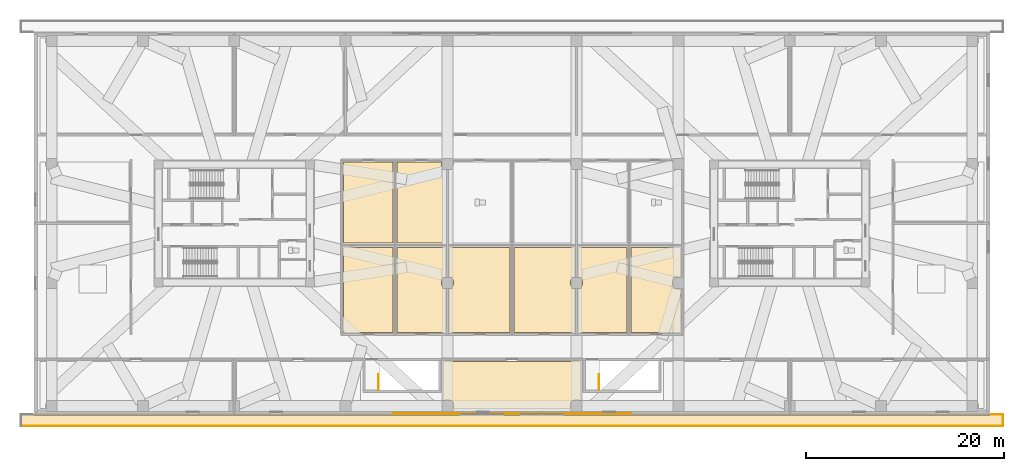
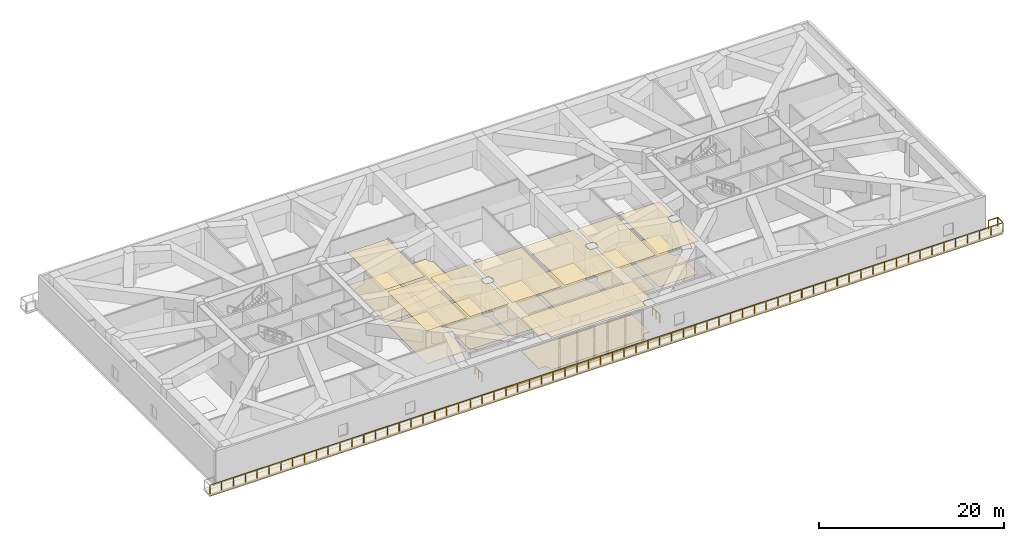
# One storey, part 16 of 21: 19 coverings, 3 railings.
"""IFC4 building model written with IfcOpenShell, lengths in metres."""

from ifc_helpers import new_model, si_unit, direction, frame, origin, origin_2d, place, context, subcontext, project, spatial, polyline, rectangle, outline, extrude, source, transform, mapped, material, layer, layer_set, type_object, type_shapes, element, save


model = new_model("IFC4")

# Units and contexts
model_context = context("Model", 3, precision=1e-05, world=origin(), true_north=direction((0.0, 1.0)))
body_context = subcontext(model_context, "Body", "Model", "MODEL_VIEW")
ifc_project = project(units=[si_unit("LENGTHUNIT", "METRE"), si_unit("AREAUNIT", "SQUARE_METRE"), si_unit("VOLUMEUNIT", "CUBIC_METRE"), si_unit("PLANEANGLEUNIT", "RADIAN"), si_unit("MASSUNIT", "GRAM", prefix="KILO")], contexts=[model_context])

# Site, building, storey
site_placement = place(None, origin())
site = spatial("IfcSite", under=ifc_project, at=site_placement, CompositionType="ELEMENT")
building_placement = place(site_placement, origin())
building = spatial("IfcBuilding", under=site, at=building_placement, Name="Norrkilde Senior Care Towers", CompositionType="ELEMENT")
storey_placement = place(building_placement, frame((0.0, 0.0, 16.800048828125)))
storey = spatial("IfcBuildingStorey", under=building, at=storey_placement, Name="L04", CompositionType="ELEMENT", Elevation=16.800048828125)

# Coverings
ifc_material_1 = material(Name="Nordic Ash Timber", Category="wood")
ifc_layer_1 = layer(ifc_material_1, 0.044921875)
ifc_layer_set_1 = layer_set([ifc_layer_1], Name="Nordic Ash Timber")
covering_type_1 = type_object("IfcCoveringType", Name="Acoustic Ash Timber Slatted Ceiling 45", PredefinedType="CEILING", material=ifc_layer_set_1)
covering_1_placement = place(storey_placement, frame((0.0, 0.0, 4.3349609375)))
element("IfcCovering", 1, at=covering_1_placement, inside=storey, type_object=covering_type_1, Name="L04 Suspended Ceiling 0100", PredefinedType="CEILING", context=body_context, shape_type="SweptSolid", body=[
    extrude(outline(polyline([(-12.02001953125, -2.419921875), (-12.02001953125, -10.97998046875), (-16.97998046875, -10.97998046875), (-16.97998046875, -2.419921875), (-12.02001953125, -2.419921875)])), origin(), (0.0, 0.0, 1.0), 0.044921875),
])
covering_2_placement = place(storey_placement, frame((0.0, 0.0, 4.3349609375)))
element("IfcCovering", 2, at=covering_2_placement, inside=storey, type_object=covering_type_1, Name="L04 Suspended Ceiling 0101", PredefinedType="CEILING", context=body_context, shape_type="SweptSolid", body=[
    extrude(outline(polyline([(-12.02001953125, 6.179931640625), (-12.02001953125, -1.97998046875), (-16.97998046875, -1.97998046875), (-16.97998046875, 6.179931640625), (-12.02001953125, 6.179931640625)])), origin(), (0.0, 0.0, 1.0), 0.044921875),
])
covering_3_placement = place(storey_placement, frame((0.0, 0.0, 4.3349609375)))
element("IfcCovering", 3, at=covering_3_placement, inside=storey, type_object=covering_type_1, Name="L04 Suspended Ceiling 0102", PredefinedType="CEILING", context=body_context, shape_type="SweptSolid", body=[
    extrude(outline(polyline([(-6.719970703125, -5.4150390625), (-6.81494140625, -5.454345703125), (-6.945556640625, -5.554443359375), (-7.045654296875, -5.68505859375), (-7.108642578125, -5.8369140625), (-7.1298828125, -6.0), (-7.108642578125, -6.1630859375), (-7.045654296875, -6.31494140625), (-6.945556640625, -6.445556640625), (-6.81494140625, -6.545654296875), (-6.719970703125, -6.5849609375), (-6.719970703125, -10.97998046875), (-11.580078125, -10.97998046875), (-11.580078125, -2.419921875), (-6.719970703125, -2.419921875), (-6.719970703125, -5.4150390625)])), origin(), (0.0, 0.0, 1.0), 0.044921875),
])
covering_4_placement = place(storey_placement, frame((0.0, 0.0, 4.3349609375)))
element("IfcCovering", 4, at=covering_4_placement, inside=storey, type_object=covering_type_1, Name="L04 Suspended Ceiling 0104", PredefinedType="CEILING", context=body_context, shape_type="SweptSolid", body=[
    extrude(outline(polyline([(-0.219970703125, -10.97998046875), (-6.280029296875, -10.97998046875), (-6.280029296875, -6.5849609375), (-6.18505859375, -6.545654296875), (-6.054443359375, -6.445556640625), (-5.954345703125, -6.31494140625), (-5.891357421875, -6.1630859375), (-5.8701171875, -6.0), (-5.891357421875, -5.8369140625), (-5.954345703125, -5.68505859375), (-6.054443359375, -5.554443359375), (-6.18505859375, -5.454345703125), (-6.280029296875, -5.4150390625), (-6.280029296875, -2.419921875), (-0.219970703125, -2.419921875), (-0.219970703125, -10.97998046875)])), origin(), (0.0, 0.0, 1.0), 0.044921875),
])
covering_5_placement = place(storey_placement, frame((0.0, 0.0, 4.3349609375)))
element("IfcCovering", 5, at=covering_5_placement, inside=storey, type_object=covering_type_1, Name="L04 Suspended Ceiling 0106", PredefinedType="CEILING", context=body_context, shape_type="SweptSolid", body=[
    extrude(outline(polyline([(6.280029296875, -5.4150390625), (6.18505859375, -5.454345703125), (6.054443359375, -5.554443359375), (5.954345703125, -5.68505859375), (5.891357421875, -5.8369140625), (5.8701171875, -6.0), (5.891357421875, -6.1630859375), (5.954345703125, -6.31494140625), (6.054443359375, -6.445556640625), (6.18505859375, -6.545654296875), (6.280029296875, -6.5849609375), (6.280029296875, -10.97998046875), (0.219970703125, -10.97998046875), (0.219970703125, -2.419921875), (6.280029296875, -2.419921875), (6.280029296875, -5.4150390625)])), origin(), (0.0, 0.0, 1.0), 0.044921875),
])
covering_6_placement = place(storey_placement, frame((0.0, 0.0, 4.3349609375)))
element("IfcCovering", 6, at=covering_6_placement, inside=storey, type_object=covering_type_1, Name="L04 Suspended Ceiling 0108", PredefinedType="CEILING", context=body_context, shape_type="SweptSolid", body=[
    extrude(outline(polyline([(11.580078125, -10.97998046875), (6.719970703125, -10.97998046875), (6.719970703125, -6.5849609375), (6.81494140625, -6.545654296875), (6.945556640625, -6.445556640625), (7.045654296875, -6.31494140625), (7.108642578125, -6.1630859375), (7.1298828125, -6.0), (7.108642578125, -5.8369140625), (7.045654296875, -5.68505859375), (6.945556640625, -5.554443359375), (6.81494140625, -5.454345703125), (6.719970703125, -5.4150390625), (6.719970703125, -2.419921875), (11.580078125, -2.419921875), (11.580078125, -10.97998046875)])), origin(), (0.0, 0.0, 1.0), 0.044921875),
])
covering_7_placement = place(storey_placement, frame((0.0, 0.0, 4.3349609375)))
element("IfcCovering", 7, at=covering_7_placement, inside=storey, type_object=covering_type_1, Name="L04 Suspended Ceiling 0110", PredefinedType="CEILING", context=body_context, shape_type="SweptSolid", body=[
    extrude(outline(polyline([(16.97998046875, -5.3984375), (16.963134765625, -5.391357421875), (16.800048828125, -5.3701171875), (16.636962890625, -5.391357421875), (16.485107421875, -5.454345703125), (16.3544921875, -5.554443359375), (16.25439453125, -5.68505859375), (16.19140625, -5.8369140625), (16.169921875, -6.0), (16.19140625, -6.1630859375), (16.25439453125, -6.31494140625), (16.3544921875, -6.445556640625), (16.485107421875, -6.545654296875), (16.636962890625, -6.608642578125), (16.800048828125, -6.6298828125), (16.963134765625, -6.608642578125), (16.97998046875, -6.6015625), (16.97998046875, -10.97998046875), (12.02001953125, -10.97998046875), (12.02001953125, -2.419921875), (16.97998046875, -2.419921875), (16.97998046875, -5.3984375)])), origin(), (0.0, 0.0, 1.0), 0.044921875),
])

# Railing
ifc_material_2 = material(Name="Anodised Aluminium", Category="aluminium")
railing_type_1 = type_object("IfcRailingType", Name="Balcony Swirl Ribbon Guardrail 1150", PredefinedType="GUARDRAIL", material=ifc_material_2)
railing_placement = place(storey_placement, frame((48.358642578125, -19.284912109375, 0.0)))
element("IfcRailing", 8, at=railing_placement, inside=storey, type_object=railing_type_1, Name="L04 Perimeter Safety Guard 02", PredefinedType="GUARDRAIL", context=body_context, shape_type="SweptSolid", body=[
    extrude(rectangle(XDim=0.048095703125, YDim=0.048095703125, at=origin_2d()), frame((0.0, 0.0, 1.1259765625), z_axis=(1.0, 0.0, 0.0), x_axis=(0.0, 1.0, 0.0)), (0.0, 0.0, 1.0), 1.12060546875),
    extrude(rectangle(XDim=0.048095703125, YDim=0.048095703125, at=origin_2d()), frame((1.161376953125, -0.040771484375, 1.1259765625), z_axis=(0.0, -1.0, 0.0), x_axis=(1.0, 0.0, 0.0)), (0.0, 0.0, 1.0), 1.05322265625),
    extrude(rectangle(XDim=0.048095703125, YDim=0.048095703125, at=origin_2d()), frame((1.12060546875, -1.135009765625, 1.1259765625), z_axis=(-1.0, 0.0, 0.0), x_axis=(0.0, -1.0, 0.0)), (0.0, 0.0, 1.0), 98.999267578125),
    extrude(rectangle(XDim=0.0419921875, YDim=0.0419921875, at=origin_2d()), origin(), (0.0, 0.0, 1.0), 1.099853515625),
    extrude(rectangle(XDim=0.0419921875, YDim=0.0419921875, at=origin_2d()), frame((1.161376953125, 0.0, 0.0)), (0.0, 0.0, 1.0), 1.099853515625),
    extrude(rectangle(XDim=0.0419921875, YDim=0.0419921875, at=origin_2d()), frame((1.161376953125, -1.135009765625, 0.0)), (0.0, 0.0, 1.0), 1.099853515625),
    extrude(rectangle(XDim=0.0419921875, YDim=0.0419921875, at=origin_2d()), frame((-0.31689453125, -1.135009765625, 0.0)), (0.0, 0.0, 1.0), 1.099853515625),
    extrude(rectangle(XDim=0.0419921875, YDim=0.0419921875, at=origin_2d()), frame((-1.794921875, -1.135009765625, 0.0)), (0.0, 0.0, 1.0), 1.099853515625),
    extrude(rectangle(XDim=0.0419921875, YDim=0.0419921875, at=origin_2d()), frame((-3.273193359375, -1.135009765625, 0.0)), (0.0, 0.0, 1.0), 1.099853515625),
    extrude(rectangle(XDim=0.0419921875, YDim=0.0419921875, at=origin_2d()), frame((-4.75146484375, -1.135009765625, 0.0)), (0.0, 0.0, 1.0), 1.099853515625),
    extrude(rectangle(XDim=0.0419921875, YDim=0.0419921875, at=origin_2d()), frame((-6.229736328125, -1.135009765625, 0.0)), (0.0, 0.0, 1.0), 1.099853515625),
    extrude(rectangle(XDim=0.0419921875, YDim=0.0419921875, at=origin_2d()), frame((-7.707763671875, -1.135009765625, 0.0)), (0.0, 0.0, 1.0), 1.099853515625),
    extrude(rectangle(XDim=0.0419921875, YDim=0.0419921875, at=origin_2d()), frame((-9.18603515625, -1.135009765625, 0.0)), (0.0, 0.0, 1.0), 1.099853515625),
    extrude(rectangle(XDim=0.0419921875, YDim=0.0419921875, at=origin_2d()), frame((-10.664306640625, -1.135009765625, 0.0)), (0.0, 0.0, 1.0), 1.099853515625),
    extrude(rectangle(XDim=0.0419921875, YDim=0.0419921875, at=origin_2d()), frame((-12.142578125, -1.135009765625, 0.0)), (0.0, 0.0, 1.0), 1.099853515625),
    extrude(rectangle(XDim=0.0419921875, YDim=0.0419921875, at=origin_2d()), frame((-13.62060546875, -1.135009765625, 0.0)), (0.0, 0.0, 1.0), 1.099853515625),
    extrude(rectangle(XDim=0.0419921875, YDim=0.0419921875, at=origin_2d()), frame((-15.098876953125, -1.135009765625, 0.0)), (0.0, 0.0, 1.0), 1.099853515625),
    extrude(rectangle(XDim=0.0419921875, YDim=0.0419921875, at=origin_2d()), frame((-16.5771484375, -1.135009765625, 0.0)), (0.0, 0.0, 1.0), 1.099853515625),
    extrude(rectangle(XDim=0.0419921875, YDim=0.0419921875, at=origin_2d()), frame((-18.055419921875, -1.135009765625, 0.0)), (0.0, 0.0, 1.0), 1.099853515625),
    extrude(rectangle(XDim=0.0419921875, YDim=0.0419921875, at=origin_2d()), frame((-19.533447265625, -1.135009765625, 0.0)), (0.0, 0.0, 1.0), 1.099853515625),
    extrude(rectangle(XDim=0.0419921875, YDim=0.0419921875, at=origin_2d()), frame((-21.01171875, -1.135009765625, 0.0)), (0.0, 0.0, 1.0), 1.099853515625),
    extrude(rectangle(XDim=0.0419921875, YDim=0.0419921875, at=origin_2d()), frame((-22.489990234375, -1.135009765625, 0.0)), (0.0, 0.0, 1.0), 1.099853515625),
    extrude(rectangle(XDim=0.0419921875, YDim=0.0419921875, at=origin_2d()), frame((-23.96826171875, -1.135009765625, 0.0)), (0.0, 0.0, 1.0), 1.099853515625),
    extrude(rectangle(XDim=0.0419921875, YDim=0.0419921875, at=origin_2d()), frame((-25.4462890625, -1.135009765625, 0.0)), (0.0, 0.0, 1.0), 1.099853515625),
    extrude(rectangle(XDim=0.0419921875, YDim=0.0419921875, at=origin_2d()), frame((-26.924560546875, -1.135009765625, 0.0)), (0.0, 0.0, 1.0), 1.099853515625),
    extrude(rectangle(XDim=0.0419921875, YDim=0.0419921875, at=origin_2d()), frame((-28.40283203125, -1.135009765625, 0.0)), (0.0, 0.0, 1.0), 1.099853515625),
    extrude(rectangle(XDim=0.0419921875, YDim=0.0419921875, at=origin_2d()), frame((-29.881103515625, -1.135009765625, 0.0)), (0.0, 0.0, 1.0), 1.099853515625),
    extrude(rectangle(XDim=0.0419921875, YDim=0.0419921875, at=origin_2d()), frame((-31.359130859375, -1.135009765625, 0.0)), (0.0, 0.0, 1.0), 1.099853515625),
    extrude(rectangle(XDim=0.0419921875, YDim=0.0419921875, at=origin_2d()), frame((-32.83740234375, -1.135009765625, 0.0)), (0.0, 0.0, 1.0), 1.099853515625),
    extrude(rectangle(XDim=0.0419921875, YDim=0.0419921875, at=origin_2d()), frame((-34.315673828125, -1.135009765625, 0.0)), (0.0, 0.0, 1.0), 1.099853515625),
    extrude(rectangle(XDim=0.0419921875, YDim=0.0419921875, at=origin_2d()), frame((-35.7939453125, -1.135009765625, 0.0)), (0.0, 0.0, 1.0), 1.099853515625),
    extrude(rectangle(XDim=0.0419921875, YDim=0.0419921875, at=origin_2d()), frame((-37.27197265625, -1.135009765625, 0.0)), (0.0, 0.0, 1.0), 1.099853515625),
    extrude(rectangle(XDim=0.0419921875, YDim=0.0419921875, at=origin_2d()), frame((-38.750244140625, -1.135009765625, 0.0)), (0.0, 0.0, 1.0), 1.099853515625),
    extrude(rectangle(XDim=0.0419921875, YDim=0.0419921875, at=origin_2d()), frame((-40.228515625, -1.135009765625, 0.0)), (0.0, 0.0, 1.0), 1.099853515625),
    extrude(rectangle(XDim=0.0419921875, YDim=0.0419921875, at=origin_2d()), frame((-41.706787109375, -1.135009765625, 0.0)), (0.0, 0.0, 1.0), 1.099853515625),
    extrude(rectangle(XDim=0.0419921875, YDim=0.0419921875, at=origin_2d()), frame((-43.184814453125, -1.135009765625, 0.0)), (0.0, 0.0, 1.0), 1.099853515625),
    extrude(rectangle(XDim=0.0419921875, YDim=0.0419921875, at=origin_2d()), frame((-44.6630859375, -1.135009765625, 0.0)), (0.0, 0.0, 1.0), 1.099853515625),
    extrude(rectangle(XDim=0.0419921875, YDim=0.0419921875, at=origin_2d()), frame((-46.141357421875, -1.135009765625, 0.0)), (0.0, 0.0, 1.0), 1.099853515625),
    extrude(rectangle(XDim=0.0419921875, YDim=0.0419921875, at=origin_2d()), frame((-47.61962890625, -1.135009765625, 0.0)), (0.0, 0.0, 1.0), 1.099853515625),
    extrude(rectangle(XDim=0.0419921875, YDim=0.0419921875, at=origin_2d()), frame((-49.09765625, -1.135009765625, 0.0)), (0.0, 0.0, 1.0), 1.099853515625),
    extrude(rectangle(XDim=0.0419921875, YDim=0.0419921875, at=origin_2d()), frame((-50.575927734375, -1.135009765625, 0.0)), (0.0, 0.0, 1.0), 1.099853515625),
    extrude(rectangle(XDim=0.0419921875, YDim=0.0419921875, at=origin_2d()), frame((-52.05419921875, -1.135009765625, 0.0)), (0.0, 0.0, 1.0), 1.099853515625),
    extrude(rectangle(XDim=0.0419921875, YDim=0.0419921875, at=origin_2d()), frame((-53.532470703125, -1.135009765625, 0.0)), (0.0, 0.0, 1.0), 1.099853515625),
    extrude(rectangle(XDim=0.0419921875, YDim=0.0419921875, at=origin_2d()), frame((-55.010498046875, -1.135009765625, 0.0)), (0.0, 0.0, 1.0), 1.099853515625),
    extrude(rectangle(XDim=0.0419921875, YDim=0.0419921875, at=origin_2d()), frame((-56.48876953125, -1.135009765625, 0.0)), (0.0, 0.0, 1.0), 1.099853515625),
    extrude(rectangle(XDim=0.0419921875, YDim=0.0419921875, at=origin_2d()), frame((-57.967041015625, -1.135009765625, 0.0)), (0.0, 0.0, 1.0), 1.099853515625),
    extrude(rectangle(XDim=0.0419921875, YDim=0.0419921875, at=origin_2d()), frame((-59.4453125, -1.135009765625, 0.0)), (0.0, 0.0, 1.0), 1.099853515625),
    extrude(rectangle(XDim=0.0419921875, YDim=0.0419921875, at=origin_2d()), frame((-60.92333984375, -1.135009765625, 0.0)), (0.0, 0.0, 1.0), 1.099853515625),
    extrude(rectangle(XDim=0.0419921875, YDim=0.0419921875, at=origin_2d()), frame((-62.401611328125, -1.135009765625, 0.0)), (0.0, 0.0, 1.0), 1.099853515625),
    extrude(rectangle(XDim=0.0419921875, YDim=0.0419921875, at=origin_2d()), frame((-63.8798828125, -1.135009765625, 0.0)), (0.0, 0.0, 1.0), 1.099853515625),
    extrude(rectangle(XDim=0.0419921875, YDim=0.0419921875, at=origin_2d()), frame((-65.358154296875, -1.135009765625, 0.0)), (0.0, 0.0, 1.0), 1.099853515625),
    extrude(rectangle(XDim=0.0419921875, YDim=0.0419921875, at=origin_2d()), frame((-66.836181640625, -1.135009765625, 0.0)), (0.0, 0.0, 1.0), 1.099853515625),
    extrude(rectangle(XDim=0.0419921875, YDim=0.0419921875, at=origin_2d()), frame((-68.314453125, -1.135009765625, 0.0)), (0.0, 0.0, 1.0), 1.099853515625),
    extrude(rectangle(XDim=0.0419921875, YDim=0.0419921875, at=origin_2d()), frame((-69.792724609375, -1.135009765625, 0.0)), (0.0, 0.0, 1.0), 1.099853515625),
    extrude(rectangle(XDim=0.0419921875, YDim=0.0419921875, at=origin_2d()), frame((-71.27099609375, -1.135009765625, 0.0)), (0.0, 0.0, 1.0), 1.099853515625),
    extrude(rectangle(XDim=0.0419921875, YDim=0.0419921875, at=origin_2d()), frame((-72.7490234375, -1.135009765625, 0.0)), (0.0, 0.0, 1.0), 1.099853515625),
    extrude(rectangle(XDim=0.0419921875, YDim=0.0419921875, at=origin_2d()), frame((-74.227294921875, -1.135009765625, 0.0)), (0.0, 0.0, 1.0), 1.099853515625),
    extrude(rectangle(XDim=0.0419921875, YDim=0.0419921875, at=origin_2d()), frame((-75.70556640625, -1.135009765625, 0.0)), (0.0, 0.0, 1.0), 1.099853515625),
    extrude(rectangle(XDim=0.0419921875, YDim=0.0419921875, at=origin_2d()), frame((-77.183837890625, -1.135009765625, 0.0)), (0.0, 0.0, 1.0), 1.099853515625),
    extrude(rectangle(XDim=0.0419921875, YDim=0.0419921875, at=origin_2d()), frame((-78.661865234375, -1.135009765625, 0.0)), (0.0, 0.0, 1.0), 1.099853515625),
    extrude(rectangle(XDim=0.0419921875, YDim=0.0419921875, at=origin_2d()), frame((-80.14013671875, -1.135009765625, 0.0)), (0.0, 0.0, 1.0), 1.099853515625),
    extrude(rectangle(XDim=0.0419921875, YDim=0.0419921875, at=origin_2d()), frame((-81.618408203125, -1.135009765625, 0.0)), (0.0, 0.0, 1.0), 1.099853515625),
    extrude(rectangle(XDim=0.0419921875, YDim=0.0419921875, at=origin_2d()), frame((-83.0966796875, -1.135009765625, 0.0)), (0.0, 0.0, 1.0), 1.099853515625),
    extrude(rectangle(XDim=0.0419921875, YDim=0.0419921875, at=origin_2d()), frame((-84.57470703125, -1.135009765625, 0.0)), (0.0, 0.0, 1.0), 1.099853515625),
    extrude(rectangle(XDim=0.0419921875, YDim=0.0419921875, at=origin_2d()), frame((-86.052978515625, -1.135009765625, 0.0)), (0.0, 0.0, 1.0), 1.099853515625),
    extrude(rectangle(XDim=0.0419921875, YDim=0.0419921875, at=origin_2d()), frame((-87.53125, -1.135009765625, 0.0)), (0.0, 0.0, 1.0), 1.099853515625),
    extrude(rectangle(XDim=0.0419921875, YDim=0.0419921875, at=origin_2d()), frame((-89.009521484375, -1.135009765625, 0.0)), (0.0, 0.0, 1.0), 1.099853515625),
    extrude(rectangle(XDim=0.0419921875, YDim=0.0419921875, at=origin_2d()), frame((-90.487548828125, -1.135009765625, 0.0)), (0.0, 0.0, 1.0), 1.099853515625),
    extrude(rectangle(XDim=0.0419921875, YDim=0.0419921875, at=origin_2d()), frame((-91.9658203125, -1.135009765625, 0.0)), (0.0, 0.0, 1.0), 1.099853515625),
    extrude(rectangle(XDim=0.0419921875, YDim=0.0419921875, at=origin_2d()), frame((-93.444091796875, -1.135009765625, 0.0)), (0.0, 0.0, 1.0), 1.099853515625),
    extrude(rectangle(XDim=0.0419921875, YDim=0.0419921875, at=origin_2d()), frame((-94.92236328125, -1.135009765625, 0.0)), (0.0, 0.0, 1.0), 1.099853515625),
    extrude(rectangle(XDim=0.0419921875, YDim=0.0419921875, at=origin_2d()), frame((-96.400390625, -1.135009765625, 0.0)), (0.0, 0.0, 1.0), 1.099853515625),
    extrude(rectangle(XDim=0.0419921875, YDim=0.0419921875, at=origin_2d()), frame((-97.878662109375, -1.135009765625, 0.0)), (0.0, 0.0, 1.0), 1.099853515625),
])

# Coverings
ifc_material_3 = material(Name="EPDM Waterproofing and PIR Insulation")
ifc_layer_2 = layer(ifc_material_3, 0.159912109375)
ifc_layer_set_2 = layer_set([ifc_layer_2], Name="EPDM Waterproofing and PIR Insulation")
covering_type_2 = type_object("IfcCoveringType", Name="Insulated EPDM Roof Membrane 160", PredefinedType="ROOFING", material=ifc_layer_set_2)
covering_8_placement = place(storey_placement, frame((0.0, 0.0, -0.39013671875)))
element("IfcCovering", 9, at=covering_8_placement, inside=storey, type_object=covering_type_2, Name="L04 S Terrace Waterproof Membrane", PredefinedType="ROOFING", context=body_context, shape_type="SweptSolid", body=[
    extrude(outline(polyline([(-49.5, -20.39990234375), (49.5, -20.39990234375), (49.5, -19.304931640625), (-49.5, -19.304931640625), (-49.5, -20.39990234375)])), origin(), (0.0, 0.0, 1.0), 0.16015625),
])
ifc_material_4 = material(Name="Gypsum Acoustic Board")
ifc_layer_3 = layer(ifc_material_4, 0.030029296875)
ifc_layer_set_3 = layer_set([ifc_layer_3], Name="Gypsum Acoustic Board")
covering_type_3 = type_object("IfcCoveringType", Name="Medical Cleanable Gypsum Ceiling 30", PredefinedType="CEILING", material=ifc_layer_set_3)
covering_9_placement = place(storey_placement, frame((0.0, 0.0, 4.349853515625)))
element("IfcCovering", 10, at=covering_9_placement, inside=storey, type_object=covering_type_3, Name="L04 Suspended Ceiling 0119", PredefinedType="CEILING", context=body_context, shape_type="SweptSolid", body=[
    extrude(outline(polyline([(-5.93994140625, -18.679931640625), (-5.891357421875, -18.56298828125), (-5.8701171875, -18.39990234375), (-5.891357421875, -18.237060546875), (-5.954345703125, -18.0849609375), (-6.054443359375, -17.95458984375), (-6.18505859375, -17.8544921875), (-6.3369140625, -17.79150390625), (-6.5, -17.77001953125), (-6.6630859375, -17.79150390625), (-6.81494140625, -17.8544921875), (-6.929931640625, -17.942626953125), (-6.929931640625, -13.93994140625), (6.929931640625, -13.93994140625), (6.929931640625, -17.942626953125), (6.81494140625, -17.8544921875), (6.6630859375, -17.79150390625), (6.5, -17.77001953125), (6.3369140625, -17.79150390625), (6.18505859375, -17.8544921875), (6.054443359375, -17.95458984375), (5.954345703125, -18.0849609375), (5.891357421875, -18.237060546875), (5.8701171875, -18.39990234375), (5.891357421875, -18.56298828125), (5.93994140625, -18.679931640625), (-5.93994140625, -18.679931640625)])), origin(), (0.0, 0.0, 1.0), 0.030029296875),
])
ifc_material_5 = material(Name="Slip-Resistant Porcelain Stone", Category="masonry")
ifc_layer_4 = layer(ifc_material_5, 0.02490234375)
ifc_layer_set_4 = layer_set([ifc_layer_4], Name="Slip-Resistant Porcelain Stone")
covering_type_4 = type_object("IfcCoveringType", Name="Slip-Resistant Porcelain Flooring 25", PredefinedType="FLOORING", material=ifc_layer_set_4)
covering_10_placement = place(storey_placement, origin())
element("IfcCovering", 11, at=covering_10_placement, inside=storey, type_object=covering_type_4, Name="L04 Floor Finish 0100", PredefinedType="FLOORING", context=body_context, shape_type="SweptSolid", body=[
    extrude(outline(polyline([(-12.02001953125, -2.419921875), (-12.02001953125, -10.97998046875), (-16.97998046875, -10.97998046875), (-16.97998046875, -2.419921875), (-12.02001953125, -2.419921875)])), origin(), (0.0, 0.0, 1.0), 0.02490234375),
])
covering_11_placement = place(storey_placement, origin())
element("IfcCovering", 12, at=covering_11_placement, inside=storey, type_object=covering_type_4, Name="L04 Floor Finish 0101", PredefinedType="FLOORING", context=body_context, shape_type="SweptSolid", body=[
    extrude(outline(polyline([(-12.02001953125, 6.179931640625), (-12.02001953125, -1.97998046875), (-16.97998046875, -1.97998046875), (-16.97998046875, 6.179931640625), (-12.02001953125, 6.179931640625)])), origin(), (0.0, 0.0, 1.0), 0.02490234375),
])
covering_12_placement = place(storey_placement, origin())
element("IfcCovering", 13, at=covering_12_placement, inside=storey, type_object=covering_type_4, Name="L04 Floor Finish 0102", PredefinedType="FLOORING", context=body_context, shape_type="SweptSolid", body=[
    extrude(outline(polyline([(-6.719970703125, -5.4150390625), (-6.81494140625, -5.454345703125), (-6.945556640625, -5.554443359375), (-7.045654296875, -5.68505859375), (-7.108642578125, -5.8369140625), (-7.1298828125, -6.0), (-7.108642578125, -6.1630859375), (-7.045654296875, -6.31494140625), (-6.945556640625, -6.445556640625), (-6.81494140625, -6.545654296875), (-6.719970703125, -6.5849609375), (-6.719970703125, -10.97998046875), (-11.580078125, -10.97998046875), (-11.580078125, -2.419921875), (-6.719970703125, -2.419921875), (-6.719970703125, -5.4150390625)])), origin(), (0.0, 0.0, 1.0), 0.02490234375),
])
covering_13_placement = place(storey_placement, origin())
element("IfcCovering", 14, at=covering_13_placement, inside=storey, type_object=covering_type_4, Name="L04 Floor Finish 0103", PredefinedType="FLOORING", context=body_context, shape_type="SweptSolid", body=[
    extrude(outline(polyline([(-6.719970703125, -1.97998046875), (-11.580078125, -1.97998046875), (-11.580078125, 6.179931640625), (-7.1015625, 6.179931640625), (-7.108642578125, 6.1630859375), (-7.1298828125, 6.0), (-7.108642578125, 5.8369140625), (-7.045654296875, 5.68505859375), (-6.945556640625, 5.554443359375), (-6.81494140625, 5.454345703125), (-6.719970703125, 5.4150390625), (-6.719970703125, -1.97998046875)])), origin(), (0.0, 0.0, 1.0), 0.02490234375),
])
covering_14_placement = place(storey_placement, origin())
element("IfcCovering", 15, at=covering_14_placement, inside=storey, type_object=covering_type_4, Name="L04 Floor Finish 0104", PredefinedType="FLOORING", context=body_context, shape_type="SweptSolid", body=[
    extrude(outline(polyline([(-0.219970703125, -10.97998046875), (-6.280029296875, -10.97998046875), (-6.280029296875, -6.5849609375), (-6.18505859375, -6.545654296875), (-6.054443359375, -6.445556640625), (-5.954345703125, -6.31494140625), (-5.891357421875, -6.1630859375), (-5.8701171875, -6.0), (-5.891357421875, -5.8369140625), (-5.954345703125, -5.68505859375), (-6.054443359375, -5.554443359375), (-6.18505859375, -5.454345703125), (-6.280029296875, -5.4150390625), (-6.280029296875, -2.419921875), (-0.219970703125, -2.419921875), (-0.219970703125, -10.97998046875)])), origin(), (0.0, 0.0, 1.0), 0.02490234375),
])
covering_15_placement = place(storey_placement, origin())
element("IfcCovering", 16, at=covering_15_placement, inside=storey, type_object=covering_type_4, Name="L04 Floor Finish 0106", PredefinedType="FLOORING", context=body_context, shape_type="SweptSolid", body=[
    extrude(outline(polyline([(6.280029296875, -5.4150390625), (6.18505859375, -5.454345703125), (6.054443359375, -5.554443359375), (5.954345703125, -5.68505859375), (5.891357421875, -5.8369140625), (5.8701171875, -6.0), (5.891357421875, -6.1630859375), (5.954345703125, -6.31494140625), (6.054443359375, -6.445556640625), (6.18505859375, -6.545654296875), (6.280029296875, -6.5849609375), (6.280029296875, -10.97998046875), (0.219970703125, -10.97998046875), (0.219970703125, -2.419921875), (6.280029296875, -2.419921875), (6.280029296875, -5.4150390625)])), origin(), (0.0, 0.0, 1.0), 0.02490234375),
])
covering_16_placement = place(storey_placement, origin())
element("IfcCovering", 17, at=covering_16_placement, inside=storey, type_object=covering_type_4, Name="L04 Floor Finish 0108", PredefinedType="FLOORING", context=body_context, shape_type="SweptSolid", body=[
    extrude(outline(polyline([(11.580078125, -10.97998046875), (6.719970703125, -10.97998046875), (6.719970703125, -6.5849609375), (6.81494140625, -6.545654296875), (6.945556640625, -6.445556640625), (7.045654296875, -6.31494140625), (7.108642578125, -6.1630859375), (7.1298828125, -6.0), (7.108642578125, -5.8369140625), (7.045654296875, -5.68505859375), (6.945556640625, -5.554443359375), (6.81494140625, -5.454345703125), (6.719970703125, -5.4150390625), (6.719970703125, -2.419921875), (11.580078125, -2.419921875), (11.580078125, -10.97998046875)])), origin(), (0.0, 0.0, 1.0), 0.02490234375),
])
covering_17_placement = place(storey_placement, origin())
element("IfcCovering", 18, at=covering_17_placement, inside=storey, type_object=covering_type_4, Name="L04 Floor Finish 0110", PredefinedType="FLOORING", context=body_context, shape_type="SweptSolid", body=[
    extrude(outline(polyline([(16.97998046875, -5.3984375), (16.963134765625, -5.391357421875), (16.800048828125, -5.3701171875), (16.636962890625, -5.391357421875), (16.485107421875, -5.454345703125), (16.3544921875, -5.554443359375), (16.25439453125, -5.68505859375), (16.19140625, -5.8369140625), (16.169921875, -6.0), (16.19140625, -6.1630859375), (16.25439453125, -6.31494140625), (16.3544921875, -6.445556640625), (16.485107421875, -6.545654296875), (16.636962890625, -6.608642578125), (16.800048828125, -6.6298828125), (16.963134765625, -6.608642578125), (16.97998046875, -6.6015625), (16.97998046875, -10.97998046875), (12.02001953125, -10.97998046875), (12.02001953125, -2.419921875), (16.97998046875, -2.419921875), (16.97998046875, -5.3984375)])), origin(), (0.0, 0.0, 1.0), 0.02490234375),
])
covering_18_placement = place(storey_placement, origin())
element("IfcCovering", 19, at=covering_18_placement, inside=storey, type_object=covering_type_4, Name="L04 Floor Finish 0119", PredefinedType="FLOORING", context=body_context, shape_type="SweptSolid", body=[
    extrude(outline(polyline([(-5.93994140625, -18.679931640625), (-5.891357421875, -18.56298828125), (-5.8701171875, -18.39990234375), (-5.891357421875, -18.237060546875), (-5.954345703125, -18.0849609375), (-6.054443359375, -17.95458984375), (-6.18505859375, -17.8544921875), (-6.3369140625, -17.79150390625), (-6.5, -17.77001953125), (-6.6630859375, -17.79150390625), (-6.81494140625, -17.8544921875), (-6.929931640625, -17.942626953125), (-6.929931640625, -13.93994140625), (6.929931640625, -13.93994140625), (6.929931640625, -17.942626953125), (6.81494140625, -17.8544921875), (6.6630859375, -17.79150390625), (6.5, -17.77001953125), (6.3369140625, -17.79150390625), (6.18505859375, -17.8544921875), (6.054443359375, -17.95458984375), (5.954345703125, -18.0849609375), (5.891357421875, -18.237060546875), (5.8701171875, -18.39990234375), (5.891357421875, -18.56298828125), (5.93994140625, -18.679931640625), (-5.93994140625, -18.679931640625)])), origin(), (0.0, 0.0, 1.0), 0.02490234375),
])

# Railings
ifc_material_6 = material(Name="Stainless Steel", Category="steel")
railing_type_2 = type_object("IfcRailingType", Name="Stair and Terrace Guardrail 1100", PredefinedType="GUARDRAIL", material=ifc_material_6)
for number, where, name in (
    (20, (-13.449951171875, -16.800048828125, 0.0), "L04 ST-P1 top well guard 1"),
    (21, (8.75, -16.800048828125, 0.0), "L04 ST-P2 top well guard 1"),
):
    element("IfcRailing", number, at=place(storey_placement, frame(where)), inside=storey, type_object=railing_type_2, Name=name, PredefinedType="GUARDRAIL", context=body_context, shape_type="SweptSolid", body=[
        extrude(rectangle(XDim=0.048095703125, YDim=0.048095703125, at=origin_2d()), frame((0.0, 0.0, 1.076171875), z_axis=(0.0, 1.0, 0.0), x_axis=(-1.0, 0.0, 0.0)), (0.0, 0.0, 1.0), 1.550048828125),
        extrude(rectangle(XDim=0.0419921875, YDim=0.0419921875, at=origin_2d()), origin(), (0.0, 0.0, 1.0), 1.050048828125),
        extrude(rectangle(XDim=0.0419921875, YDim=0.0419921875, at=origin_2d()), frame((0.0, 0.77490234375, 0.0)), (0.0, 0.0, 1.0), 1.050048828125),
        extrude(rectangle(XDim=0.0419921875, YDim=0.0419921875, at=origin_2d()), frame((0.0, 1.550048828125, 0.0)), (0.0, 0.0, 1.0), 1.050048828125),
    ])

# Covering
ifc_material_7 = material(Name="Architectural Terracotta", Category="masonry")
ifc_layer_5 = layer(ifc_material_7, 0.0400390625)
ifc_layer_set_5 = layer_set([ifc_layer_5], Name="Architectural Terracotta")
covering_type_5 = type_object("IfcCoveringType", Name="Glazed Terracotta Spandrel Cladding 40", PredefinedType="CLADDING", material=ifc_layer_set_5)
shared_shape = source(origin(), body_context, "Body", "SweptSolid", [
    extrude(rectangle(XDim=24.0, YDim=0.0400390625, at=origin_2d()), origin(), (0.0, 0.0, 1.0), 0.320068359375),
])
type_shapes(covering_type_5, [shared_shape])
covering_19_placement = place(storey_placement, frame((0.0, -19.179931640625, -0.3203125), z_axis=(0.0, 0.0, 1.0), x_axis=(1.0, 0.0, 0.0)))
element("IfcCovering", 22, at=covering_19_placement, inside=storey, type_object=covering_type_5, Name="L04 S Terracotta Spandrel Band", PredefinedType="CLADDING", context=body_context, shape_type="MappedRepresentation", body=[
    mapped(shared_shape, transform((0.0, 0.0, 0.0), x_axis=(1.0, 0.0, 0.0), y_axis=(0.0, 1.0, 0.0), z_axis=(0.0, 0.0, 1.0), scale=1.0)),
])

save(model, "model.ifc")
